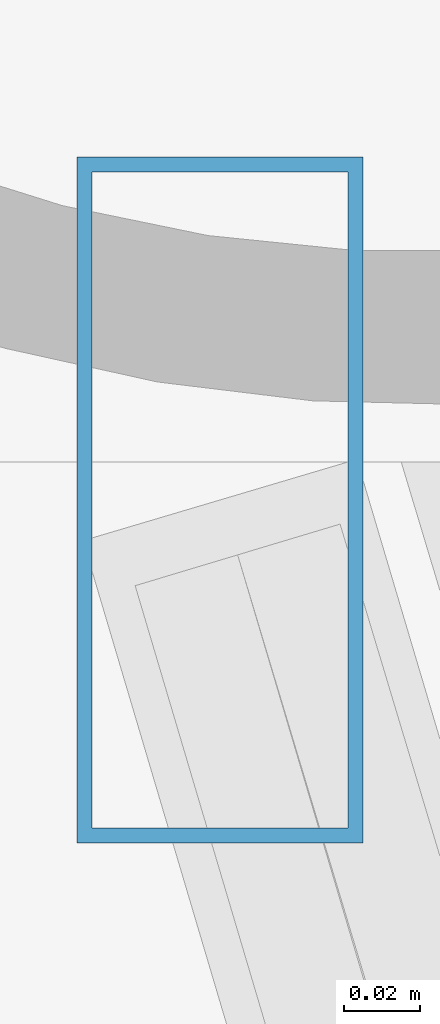
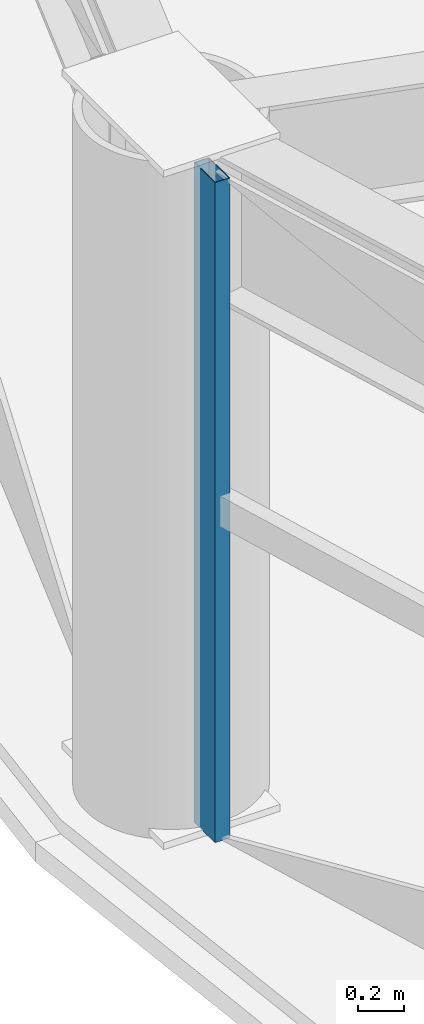
# One storey, part 6 of 30: 1 member, 1 element without a shape of its own.
"""IFC4 building model written with IfcOpenShell, lengths in metres."""

from ifc_helpers import new_model, si_unit, direction, frame, origin, origin_2d, place, context, subcontext, project, spatial, hollow_rectangle, extrude, material, layer, layer_set, material_profile, profile_set, type_object, element, aggregate, save


model = new_model("IFC4")

# Units and contexts
model_context = context("Model", 3, precision=1e-05, world=origin(), true_north=direction((0.0, 1.0)))
body_context = subcontext(model_context, "Body", "Model", "MODEL_VIEW")
ifc_project = project(units=[si_unit("LENGTHUNIT", "METRE"), si_unit("AREAUNIT", "SQUARE_METRE"), si_unit("VOLUMEUNIT", "CUBIC_METRE"), si_unit("PLANEANGLEUNIT", "RADIAN"), si_unit("MASSUNIT", "GRAM", prefix="KILO")], contexts=[model_context])

# Site, building, storey
site_placement = place(None, origin())
site = spatial("IfcSite", under=ifc_project, at=site_placement, CompositionType="ELEMENT")
building_placement = place(site_placement, origin())
building = spatial("IfcBuilding", under=site, at=building_placement, Name="Vantalir Tower", CompositionType="ELEMENT")
storey_placement = place(building_placement, frame((0.0, 0.0, 49.5)))
storey = spatial("IfcBuildingStorey", under=building, at=storey_placement, Name="L11", CompositionType="ELEMENT", Elevation=49.5)

# Curtain wall, member
ifc_material_1 = material(Name="Champagne-silver PVDF aluminium and double-silver Low-E glass", Category="aluminium")
ifc_layer = layer(ifc_material_1, 0.18994140625)
ifc_layer_set = layer_set([ifc_layer], Name="Champagne-silver PVDF aluminium and double-silver Low-E glass")
curtain_wall_type = type_object("IfcCurtainWallType", Name="CW-DIAMOND-Z1", PredefinedType="USERDEFINED", material=ifc_layer_set)
curtain_wall_placement = place(storey_placement, origin())
curtain_wall = element("IfcCurtainWall", 1, at=curtain_wall_placement, inside=storey, type_object=curtain_wall_type, Name="L11 Quilted Pyramid-Diamond Curtain Wall S07", ObjectType="UNITISED CURTAIN WALL", PredefinedType="USERDEFINED")
ifc_material_2 = material(Name="Champagne-silver PVDF aluminium 6063-T6", Category="aluminium")
ifc_material_profile = material_profile(ifc_material_2, hollow_rectangle(XDim=0.074951171875, YDim=0.179931640625, WallThickness=0.00390625, at=origin_2d()), Name="Champagne-silver PVDF aluminium 6063-T6")
ifc_profile_set = profile_set([ifc_material_profile], Name="Champagne-silver PVDF aluminium 6063-T6")
member_type = type_object("IfcMemberType", Name="CWM-180x75", PredefinedType="MULLION", material=ifc_profile_set)
member_placement = place(storey_placement, frame((4.805908203125, 24.550048828125, 0.044921875), z_axis=(0.0, 0.0, 1.0), x_axis=(1.0, 0.0, 0.0)))
member = element("IfcMember", 2, at=member_placement, type_object=member_type, Name="CW-L11-S07 Mullion 1", PredefinedType="MULLION", context=body_context, shape_type="SweptSolid", body=[
    extrude(hollow_rectangle(XDim=0.074951171875, YDim=0.179931640625, WallThickness=0.00390625, at=origin_2d()), origin(), (0.0, 0.0, 1.0), 3.47998046875),
])
aggregate(curtain_wall, [member])

save(model, "model.ifc")
